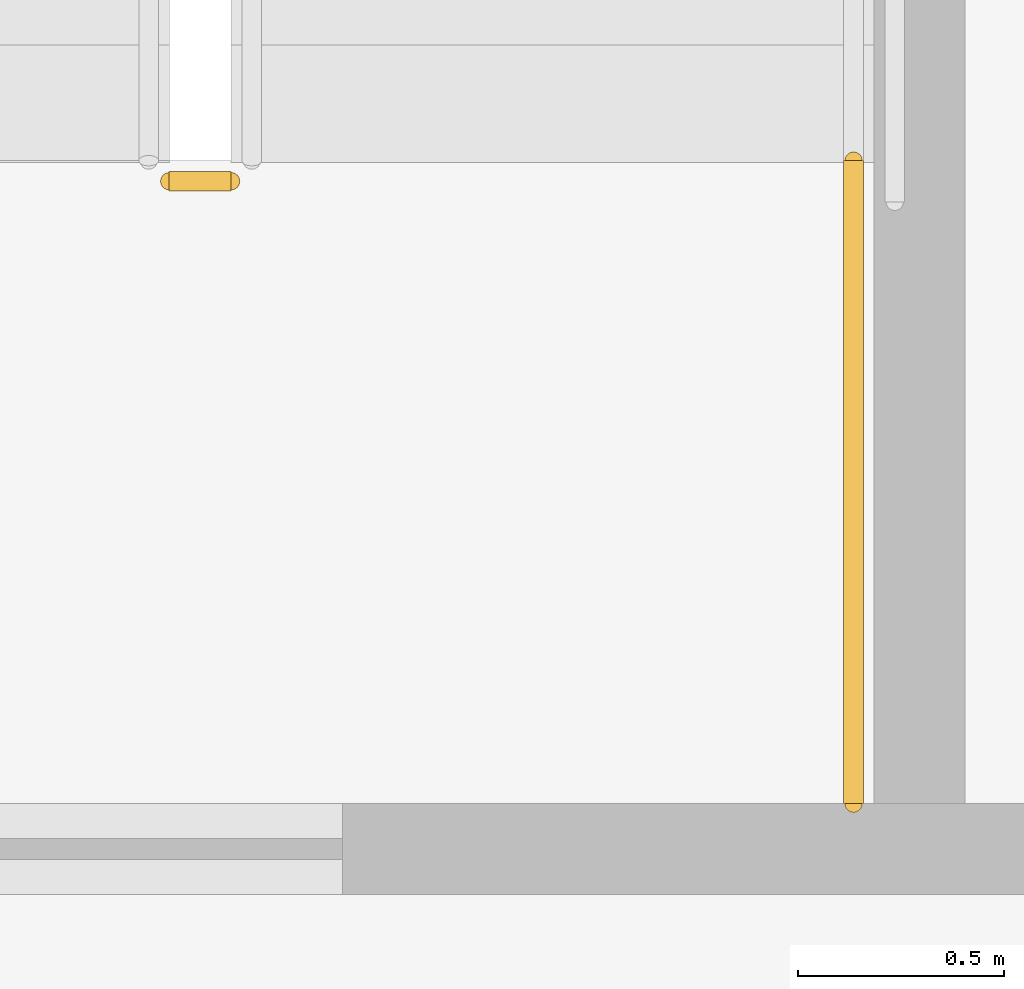
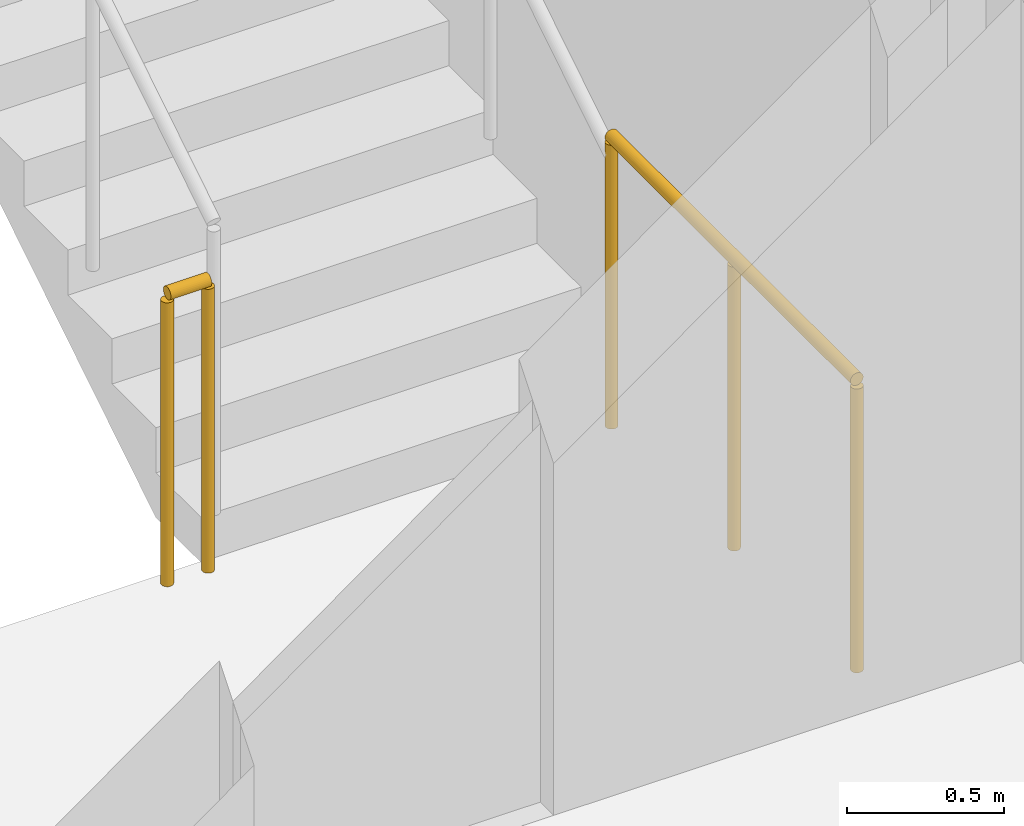
# One storey, part 12 of 15: 2 railings.
"""IFC4 building model written with IfcOpenShell, lengths in metres."""

import ifcopenshell
import ifcopenshell.guid

model = None  # the IFC model being written
_history = None  # IfcOwnerHistory: only IFC2X3 demands one
_inside = {}  # id of a spatial element -> (the spatial element, [elements in it])
_under = {}  # id of a project, library or spatial element -> (it, [spatial elements below it])
_declared = {}  # id of a project -> (the project, [libraries it declares])
_typed = {}  # id of a type object -> (the type object, [elements of that type])
_made_of = {}  # id of a material, layer set ... -> (it, [elements and type objects made of it])


def new_model(schema):
    """Start an empty IFC model of exactly this schema.

    Asked for "IFC4X3", IfcOpenShell would pick the latest addendum, in which some entities
    have other attributes; the version numbers below select the first issue.
    IFC2X3 requires an IfcOwnerHistory on every rooted entity: one is made here for all.
    """
    global model, _history
    if schema == "IFC4X3":
        model = ifcopenshell.file(schema_version=(4, 3, 0, 0))
    else:
        model = ifcopenshell.file(schema=schema)
    _inside.clear()
    _under.clear()
    _declared.clear()
    _typed.clear()
    _made_of.clear()
    _history = None
    if model.schema == "IFC2X3":
        org = make("IfcOrganization", Name="unknown")
        user = make(
            "IfcPersonAndOrganization",
            ThePerson=make("IfcPerson", FamilyName="unknown"),
            TheOrganization=org,
        )
        app = make(
            "IfcApplication",
            ApplicationDeveloper=org,
            Version="unknown",
            ApplicationFullName="unknown",
            ApplicationIdentifier="unknown",
        )
        _history = make(
            "IfcOwnerHistory",
            OwningUser=user,
            OwningApplication=app,
            ChangeAction="ADDED",
            CreationDate=0,
        )
    return model


def make(cls, **values):
    """One entity of the class cls with the attributes given. An attribute that is None is left unset."""
    return model.create_entity(
        cls, **{name: value for name, value in values.items() if value is not None}
    )


def rooted(cls, **values):
    """An entity with a GlobalId (a new one), such as an element, a storey or a relation."""
    return make(cls, GlobalId=ifcopenshell.guid.new(), OwnerHistory=_history, **values)


def si_unit(unit_type, name, prefix=None):
    """IfcSIUnit, for example si_unit("LENGTHUNIT", "METRE", prefix="MILLI")."""
    return make("IfcSIUnit", UnitType=unit_type, Prefix=prefix, Name=name)


def assignment(units):
    """IfcUnitAssignment: the units of a project."""
    return None if units is None else make("IfcUnitAssignment", Units=units)


def point(xyz):
    """IfcCartesianPoint."""
    return None if xyz is None else make("IfcCartesianPoint", Coordinates=xyz)


def direction(xyz):
    """IfcDirection."""
    return None if xyz is None else make("IfcDirection", DirectionRatios=xyz)


def frame(location, z_axis=None, x_axis=None):
    """IfcAxis2Placement3D, a coordinate frame: its origin and axes. An axis left out is left unset."""
    return make(
        "IfcAxis2Placement3D",
        Location=point(location),
        Axis=direction(z_axis),
        RefDirection=direction(x_axis),
    )


def frame_2d(location, x_axis=None):
    """IfcAxis2Placement2D, a coordinate frame in the plane: its origin and x axis."""
    return make(
        "IfcAxis2Placement2D", Location=point(location), RefDirection=direction(x_axis)
    )


def origin():
    """The frame at (0, 0, 0) with its axes left unset."""
    return frame((0.0, 0.0, 0.0))


def origin_2d():
    """The frame at (0, 0) in the plane with its x axis left unset."""
    return frame_2d((0.0, 0.0))


def place(relative_to, where):
    """IfcLocalPlacement: puts the frame where relative to a parent placement (None: the world)."""
    return make(
        "IfcLocalPlacement", PlacementRelTo=relative_to, RelativePlacement=where
    )


def context(
    kind, dimensions, precision=None, world=None, true_north=None, identifier=None
):
    """IfcGeometricRepresentationContext, for example the 3D "Model" context."""
    return make(
        "IfcGeometricRepresentationContext",
        ContextIdentifier=identifier,
        ContextType=kind,
        CoordinateSpaceDimension=dimensions,
        Precision=precision,
        WorldCoordinateSystem=world,
        TrueNorth=true_north,
    )


def subcontext(parent, identifier, kind, view, scale=None):
    """IfcGeometricRepresentationSubContext, for example "Body" below "Model"."""
    return make(
        "IfcGeometricRepresentationSubContext",
        ContextIdentifier=identifier,
        ContextType=kind,
        ParentContext=parent,
        TargetScale=scale,
        TargetView=view,
    )


def project(units=None, contexts=None):
    """IfcProject with its units and contexts."""
    return rooted(
        "IfcProject",
        Name="project",
        RepresentationContexts=contexts,
        UnitsInContext=assignment(units),
    )


def spatial(cls, under=None, at=None, **own):
    """A site, building, storey or space (cls), placed at a placement, below another one or the project."""
    s = rooted(cls, ObjectPlacement=at, **own)
    if under is not None:
        _under.setdefault(under.id(), (under, []))[1].append(s)
    return s


def profile(cls, at=None, kind="AREA", **sizes):
    """A parametric profile (cls). Its sizes go by their IFC names, for example OverallWidth=200.0."""
    return make(cls, ProfileType=kind, Position=at, **sizes)


def circle(**sizes):
    """IfcCircleProfileDef."""
    return profile("IfcCircleProfileDef", **sizes)


def extrude(swept, where, along, depth):
    """IfcExtrudedAreaSolid: the profile swept, set in the frame where, extruded along a direction by depth."""
    return make(
        "IfcExtrudedAreaSolid",
        SweptArea=swept,
        Position=where,
        ExtrudedDirection=direction(along),
        Depth=depth,
    )


def shape(context_of_items, identifier, shape_type, items):
    """IfcShapeRepresentation: the items that make up one representation, for example the "Body"."""
    return make(
        "IfcShapeRepresentation",
        ContextOfItems=context_of_items,
        RepresentationIdentifier=identifier,
        RepresentationType=shape_type,
        Items=items,
    )


def material(Name=None, Category=None):
    """IfcMaterial."""
    return make("IfcMaterial", Name=Name, Category=Category)


def made_of(thing, what):
    """Note that an element or type object is made of a material, layer set ...; save() writes the relation."""
    if what is not None:
        _made_of.setdefault(what.id(), (what, []))[1].append(thing)
    return thing


def type_object(cls, material=None, **own):
    """A type object (cls), such as IfcWallType, which elements share."""
    return made_of(rooted(cls, **own), material)


def element(
    cls,
    number,
    at=None,
    inside=None,
    cuts=None,
    type_object=None,
    material=None,
    context=None,
    identifier="Body",
    shape_type=None,
    held_by="IfcProductDefinitionShape",
    body=None,
    shapes=None,
    **own,
):
    """One element of the class cls, such as IfcWall. Its Tag is "e" and its number.

    at: its placement. inside: the storey or other place that contains it. cuts: it is an
    opening in that element (IfcRelVoidsElement). A single representation is given by context,
    identifier, shape_type and body (its items); several are given by shapes. held_by: the class
    of the entity that holds the representations. save() writes the other relations.
    """
    e = rooted(cls, Tag="e%d" % number, ObjectPlacement=at, **own)
    if body is not None:
        shapes = [shape(context, identifier, shape_type, body)]
    if shapes is not None:
        e.Representation = make(held_by, Representations=shapes)
    if inside is not None:
        _inside.setdefault(inside.id(), (inside, []))[1].append(e)
    if cuts is not None:
        rooted(
            "IfcRelVoidsElement", RelatingBuildingElement=cuts, RelatedOpeningElement=e
        )
    if type_object is not None:
        _typed.setdefault(type_object.id(), (type_object, []))[1].append(e)
    return made_of(e, material)


def aggregate(whole, parts):
    """IfcRelAggregates: a whole, such as a stair, and the parts it consists of."""
    return rooted("IfcRelAggregates", RelatingObject=whole, RelatedObjects=parts)


def save(model, path):
    """Write the relations noted so far, then the file.

    IfcRelAggregates (storeys below a building ...), IfcRelContainedInSpatialStructure (elements
    in a storey), IfcRelDefinesByType, IfcRelAssociatesMaterial and IfcRelDeclares: one each for
    every whole, place, type object, material and project.
    """
    for whole, parts in _under.values():
        aggregate(whole, parts)
    for where, things in _inside.values():
        rooted(
            "IfcRelContainedInSpatialStructure",
            RelatedElements=things,
            RelatingStructure=where,
        )
    for kind, things in _typed.values():
        rooted("IfcRelDefinesByType", RelatedObjects=things, RelatingType=kind)
    for what, things in _made_of.values():
        rooted("IfcRelAssociatesMaterial", RelatedObjects=things, RelatingMaterial=what)
    for by, libraries in _declared.values():
        rooted("IfcRelDeclares", RelatingContext=by, RelatedDefinitions=libraries)
    model.write(path)


model = new_model("IFC4")

# Units and contexts
model_context = context("Model", 3, precision=1e-05, world=origin(), true_north=direction((0.0, 1.0)))
body_context = subcontext(model_context, "Body", "Model", "MODEL_VIEW")
ifc_project = project(units=[si_unit("LENGTHUNIT", "METRE"), si_unit("AREAUNIT", "SQUARE_METRE"), si_unit("VOLUMEUNIT", "CUBIC_METRE"), si_unit("PLANEANGLEUNIT", "RADIAN"), si_unit("MASSUNIT", "GRAM", prefix="KILO")], contexts=[model_context])

# Site, building, storey
site_placement = place(None, origin())
site = spatial("IfcSite", under=ifc_project, at=site_placement, CompositionType="ELEMENT")
building_placement = place(site_placement, origin())
building = spatial("IfcBuilding", under=site, at=building_placement, Name="Khairoan Windgate Tower", CompositionType="ELEMENT")
storey_placement = place(building_placement, frame((0.0, 0.0, 72.199951171875)))
storey = spatial("IfcBuildingStorey", under=building, at=storey_placement, Name="L17", CompositionType="ELEMENT", Elevation=72.199951171875)

# Railings
ifc_material = material(Name="Steel S355", Category="steel")
railing_type = type_object("IfcRailingType", Name="Stairwell Safety Guardrail SGR-1150", PredefinedType="GUARDRAIL", material=ifc_material)
railing_1_placement = place(storey_placement, frame((-17.7099609375, 2.909912109375, 0.0)))
element("IfcRailing", 1, at=railing_1_placement, inside=storey, type_object=railing_type, Name="L17 ST2 stair guard 7", PredefinedType="GUARDRAIL", context=body_context, shape_type="SweptSolid", body=[
    extrude(circle(Radius=0.02392578125, at=origin_2d()), frame((0.0, 0.0, 1.1259765625), z_axis=(-1.0, 0.0, 0.0), x_axis=(0.0, -1.0, 0.0)), (0.0, 0.0, 1.0), 0.150146484375),
    extrude(circle(Radius=0.02099609375, at=origin_2d()), origin(), (0.0, 0.0, 1.0), 1.101806640625),
    extrude(circle(Radius=0.02099609375, at=origin_2d()), frame((-0.150146484375, 0.0, 0.0)), (0.0, 0.0, 1.0), 1.101806640625),
])
railing_2_placement = place(storey_placement, frame((-16.199951171875, 1.39990234375, 0.0)))
element("IfcRailing", 2, at=railing_2_placement, inside=storey, type_object=railing_type, Name="L17 ST2 stair guard 8", PredefinedType="GUARDRAIL", context=body_context, shape_type="SweptSolid", body=[
    extrude(circle(Radius=0.02392578125, at=origin_2d()), frame((0.0, 0.0, 1.1259765625), z_axis=(0.0, 1.0, 0.0), x_axis=(-1.0, 0.0, 0.0)), (0.0, 0.0, 1.0), 1.56005859375),
    extrude(circle(Radius=0.02099609375, at=origin_2d()), origin(), (0.0, 0.0, 1.0), 1.101806640625),
    extrude(circle(Radius=0.02099609375, at=origin_2d()), frame((0.0, 0.780029296875, 0.0)), (0.0, 0.0, 1.0), 1.101806640625),
    extrude(circle(Radius=0.02099609375, at=origin_2d()), frame((0.0, 1.56005859375, 0.0)), (0.0, 0.0, 1.0), 1.101806640625),
])

save(model, "model.ifc")
